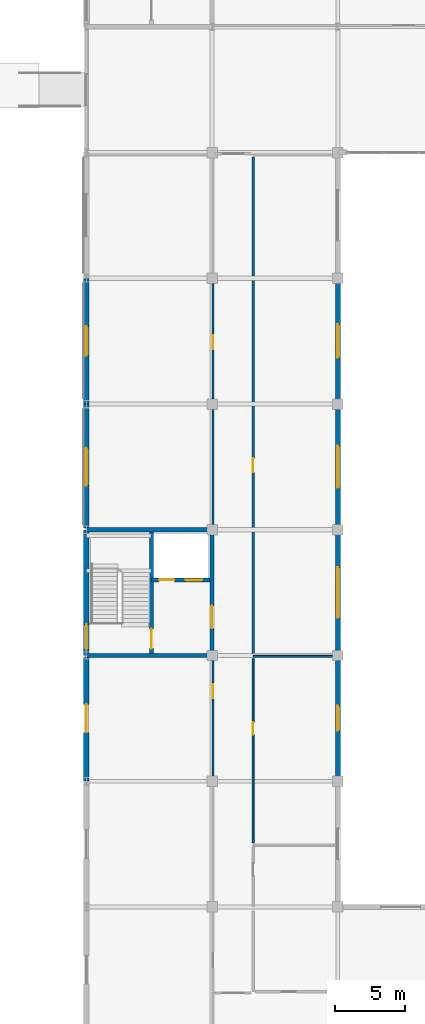
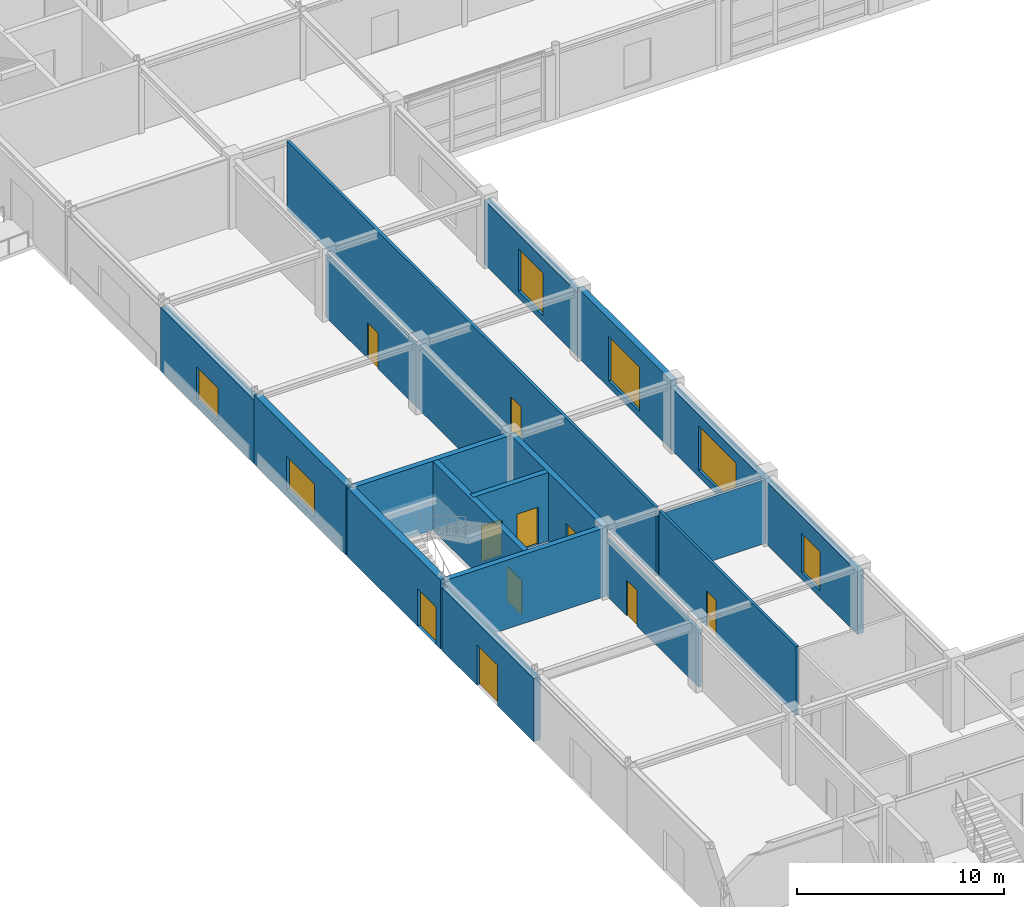
# One storey, part 57 of 72: 19 walls, 10 doors, 6 windows, 16 openings.
"""IFC4 building model written with IfcOpenShell, lengths in metres."""

from ifc_helpers import new_model, si_unit, direction, frame, frame_2d, origin, place, context, subcontext, project, spatial, rectangle, extrude, material, layer, layer_set, type_object, element, fill, save


model = new_model("IFC4")

# Units and contexts
model_context = context("Model", 3, precision=1e-05, world=origin(), true_north=direction((0.0, 1.0)))
body_context = subcontext(model_context, "Body", "Model", "MODEL_VIEW")
ifc_project = project(units=[si_unit("LENGTHUNIT", "METRE"), si_unit("AREAUNIT", "SQUARE_METRE"), si_unit("VOLUMEUNIT", "CUBIC_METRE"), si_unit("PLANEANGLEUNIT", "RADIAN"), si_unit("MASSUNIT", "GRAM", prefix="KILO")], contexts=[model_context])

# Site, building, storey
site_placement = place(None, origin())
site = spatial("IfcSite", under=ifc_project, at=site_placement, CompositionType="ELEMENT")
building_placement = place(site_placement, origin())
building = spatial("IfcBuilding", under=site, at=building_placement, Name="Palais des Congres Ocreval", CompositionType="ELEMENT")
storey_placement = place(building_placement, origin())
storey = spatial("IfcBuildingStorey", under=building, at=storey_placement, Name="L00", CompositionType="ELEMENT", Elevation=0.0)

# Wall
ifc_material_1 = material(Name="Moisture-resistant gypsum board")
ifc_layer_1 = layer(ifc_material_1, 0.139892578125)
ifc_layer_set_1 = layer_set([ifc_layer_1], Name="Bathroom Plumbing Chase Wall 140 Gypsum (Moisture-resistant gypsum board)")
wall_type_1 = type_object("IfcWallType", Name="Bathroom Plumbing Chase Wall 140 Gypsum", PredefinedType="PLUMBINGWALL", material=ifc_layer_set_1)
wall_1_placement = place(storey_placement, frame((11.93994140625, 35.93505859375, 0.0), z_axis=(0.0, 0.0, 1.0), x_axis=(1.0, 0.0, 0.0)))
element("IfcWall", 1, at=wall_1_placement, inside=storey, type_object=wall_type_1, Name="Interior Partition PW03 L00", PredefinedType="PLUMBINGWALL", context=body_context, shape_type="SweptSolid", body=[
    extrude(rectangle(XDim=5.885009765625, YDim=0.139892578125, at=frame_2d((2.9423828125, 0.0))), origin(), (0.0, 0.0, 1.0), 3.764892578125),
])

# Wall, opening, door
wall_2_placement = place(storey_placement, frame((11.93505859375, 22.590087890625, 0.0), z_axis=(0.0, 0.0, 1.0), x_axis=(0.0, 1.0, 0.0)))
wall_2 = element("IfcWall", 2, at=wall_2_placement, inside=storey, type_object=wall_type_1, Name="Interior Partition PW03 L00", PredefinedType="PLUMBINGWALL", context=body_context, shape_type="SweptSolid", body=[
    extrude(rectangle(XDim=13.18994140625, YDim=0.139892578125, at=frame_2d((6.594970703125, 0.0))), origin(), (0.0, 0.0, 1.0), 4.054931640625),
])
opening_1_placement = place(wall_2_placement, frame((7.727783203125, 0.0, 0.0)))
opening_1 = element("IfcOpeningElement", 3, at=opening_1_placement, cuts=wall_2, Name="Opening D09", PredefinedType="OPENING", context=body_context, shape_type="SweptSolid", body=[
    extrude(rectangle(XDim=0.89990234375, YDim=2.10009765625, at=frame_2d((0.449951171875, 1.050048828125))), frame((0.0, 0.079833984375, 0.0), z_axis=(0.0, -1.0, 0.0), x_axis=(1.0, 0.0, 0.0)), (0.0, 0.0, 1.0), 0.159912109375),
])
ifc_material_2 = material(Name="Solid French oak", Category="wood")
door_type_1 = type_object("IfcDoorType", Name="Accessible Restroom Door 900x2100", OperationType="NOTDEFINED", PredefinedType="DOOR", material=ifc_material_2)
door_1_placement = place(opening_1_placement, origin())
door_1 = element("IfcDoor", 4, at=door_1_placement, inside=storey, type_object=door_type_1, Name="Interior Door D09 L00", OperationType="SINGLE_SWING_RIGHT", OverallHeight=2.10009765625, OverallWidth=0.89990234375, PredefinedType="DOOR", context=body_context, shape_type="SweptSolid", body=[
    extrude(rectangle(XDim=0.89990234375, YDim=2.10009765625, at=frame_2d((0.449951171875, 1.050048828125))), frame((0.0, 0.02490234375, 0.0), z_axis=(0.0, -1.0, 0.0), x_axis=(1.0, 0.0, 0.0)), (0.0, 0.0, 1.0), 0.050048828125),
])
fill(opening_1, door_1)

# Wall
ifc_material_3 = material(Name="Concrete C40/50", Category="concrete")
ifc_layer_2 = layer(ifc_material_3, 0.300048828125)
ifc_layer_set_2 = layer_set([ifc_layer_2], Name="Core Shear Wall 300 Concrete C40/50")
wall_type_2 = type_object("IfcWallType", Name="Core Shear Wall 300 Concrete C40/50", PredefinedType="SHEAR", material=ifc_layer_set_2)
wall_3_placement = place(storey_placement, frame((0.0, 36.0, 0.0), z_axis=(0.0, 0.0, 1.0), x_axis=(1.0, 0.0, 0.0)))
element("IfcWall", 5, at=wall_3_placement, inside=storey, type_object=wall_type_2, Name="Core Shear Wall SC03 L00 S", PredefinedType="SHEAR", context=body_context, shape_type="SweptSolid", body=[
    extrude(rectangle(XDim=9.0, YDim=0.300048828125, at=frame_2d((4.5, 0.0))), origin(), (0.0, 0.0, 1.0), 4.054931640625),
])

# Wall, opening, door
wall_4_placement = place(storey_placement, frame((9.0, 36.0, 0.0), z_axis=(0.0, 0.0, 1.0), x_axis=(0.0, 1.0, 0.0)))
wall_4 = element("IfcWall", 6, at=wall_4_placement, inside=storey, type_object=wall_type_2, Name="Core Shear Wall SC03 L00 E", PredefinedType="SHEAR", context=body_context, shape_type="SweptSolid", body=[
    extrude(rectangle(XDim=9.0, YDim=0.300048828125, at=frame_2d((4.5, 0.0))), origin(), (0.0, 0.0, 1.0), 4.054931640625),
])
opening_2_placement = place(wall_4_placement, frame((1.949951171875, 0.0, 0.0)))
opening_2 = element("IfcOpeningElement", 7, at=opening_2_placement, cuts=wall_4, Name="Opening D02", PredefinedType="OPENING", context=body_context, shape_type="SweptSolid", body=[
    extrude(rectangle(XDim=1.60009765625, YDim=2.10009765625, at=frame_2d((0.800048828125, 1.050048828125))), frame((0.0, 0.159912109375, 0.0), z_axis=(0.0, -1.0, 0.0), x_axis=(1.0, 0.0, 0.0)), (0.0, 0.0, 1.0), 0.320068359375),
])
ifc_material_4 = material(Name="Painted fire-rated steel", Category="steel")
door_type_2 = type_object("IfcDoorType", Name="Firefighting Lobby Rated Door 1600x2100", OperationType="NOTDEFINED", PredefinedType="DOOR", material=ifc_material_4)
door_2_placement = place(opening_2_placement, origin())
door_2 = element("IfcDoor", 8, at=door_2_placement, inside=storey, type_object=door_type_2, Name="Firefighting Lobby Entrance Door SC03 L00", OperationType="DOUBLE_DOOR_SINGLE_SWING", OverallHeight=2.10009765625, OverallWidth=1.60009765625, PredefinedType="DOOR", context=body_context, shape_type="SweptSolid", body=[
    extrude(rectangle(XDim=1.60009765625, YDim=2.10009765625, at=frame_2d((0.800048828125, 1.050048828125))), frame((0.0, 0.02490234375, 0.0), z_axis=(0.0, -1.0, 0.0), x_axis=(1.0, 0.0, 0.0)), (0.0, 0.0, 1.0), 0.050048828125),
])
fill(opening_2, door_2)

# Wall
wall_5_placement = place(storey_placement, frame((0.0, 45.0, 0.0), z_axis=(0.0, 0.0, 1.0), x_axis=(1.0, 0.0, 0.0)))
element("IfcWall", 9, at=wall_5_placement, inside=storey, type_object=wall_type_2, Name="Core Shear Wall SC03 L00 N", PredefinedType="SHEAR", context=body_context, shape_type="SweptSolid", body=[
    extrude(rectangle(XDim=9.0, YDim=0.300048828125, at=frame_2d((4.5, 0.0))), origin(), (0.0, 0.0, 1.0), 4.054931640625),
])

# Wall, opening, door
wall_6_placement = place(storey_placement, frame((4.64990234375, 36.14990234375, 0.0), z_axis=(0.0, 0.0, 1.0), x_axis=(0.0, 1.0, 0.0)))
wall_6 = element("IfcWall", 10, at=wall_6_placement, inside=storey, type_object=wall_type_2, Name="Core Spine Shear Wall SC03 L00", PredefinedType="SHEAR", context=body_context, shape_type="SweptSolid", body=[
    extrude(rectangle(XDim=8.7001953125, YDim=0.300048828125, at=frame_2d((4.35009765625, 0.0))), origin(), (0.0, 0.0, 1.0), 4.054931640625),
])
opening_3_placement = place(wall_6_placement, frame((0.35009765625, 0.0, 0.0)))
opening_3 = element("IfcOpeningElement", 11, at=opening_3_placement, cuts=wall_6, Name="Opening D03", PredefinedType="OPENING", context=body_context, shape_type="SweptSolid", body=[
    extrude(rectangle(XDim=1.39990234375, YDim=2.02001953125, at=frame_2d((0.699951171875, 1.010009765625))), frame((0.0, 0.159912109375, 0.0), z_axis=(0.0, -1.0, 0.0), x_axis=(1.0, 0.0, 0.0)), (0.0, 0.0, 1.0), 0.320068359375),
])
door_type_3 = type_object("IfcDoorType", Name="Core Lobby Rated Door 1400x2020", OperationType="NOTDEFINED", PredefinedType="DOOR", material=ifc_material_4)
door_3_placement = place(opening_3_placement, origin())
door_3 = element("IfcDoor", 12, at=door_3_placement, inside=storey, type_object=door_type_3, Name="Protected Exit Stair Door ST03 L00", OperationType="SINGLE_SWING_LEFT", OverallHeight=2.02001953125, OverallWidth=1.39990234375, PredefinedType="DOOR", context=body_context, shape_type="SweptSolid", body=[
    extrude(rectangle(XDim=1.39990234375, YDim=2.02001953125, at=frame_2d((0.699951171875, 1.010009765625))), frame((0.0, 0.02490234375, 0.0), z_axis=(0.0, -1.0, 0.0), x_axis=(1.0, 0.0, 0.0)), (0.0, 0.0, 1.0), 0.050048828125),
])
fill(opening_3, door_3)

# Wall, openings, doors
wall_7_placement = place(storey_placement, frame((4.64990234375, 41.39990234375, 0.0), z_axis=(0.0, 0.0, 1.0), x_axis=(1.0, 0.0, 0.0)))
wall_7 = element("IfcWall", 13, at=wall_7_placement, inside=storey, type_object=wall_type_2, Name="Lift Shaft Front Wall SC03 L00", PredefinedType="SHEAR", context=body_context, shape_type="SweptSolid", body=[
    extrude(rectangle(XDim=4.2001953125, YDim=0.300048828125, at=frame_2d((2.10009765625, 0.0))), origin(), (0.0, 0.0, 1.0), 4.054931640625),
])
opening_4_placement = place(wall_7_placement, frame((0.550048828125, 0.0, 0.0)))
opening_4 = element("IfcOpeningElement", 14, at=opening_4_placement, cuts=wall_7, Name="Opening LD01", PredefinedType="OPENING", context=body_context, shape_type="SweptSolid", body=[
    extrude(rectangle(XDim=1.10009765625, YDim=2.10009765625, at=frame_2d((0.550048828125, 1.050048828125))), frame((0.0, 0.159912109375, 0.0), z_axis=(0.0, -1.0, 0.0), x_axis=(1.0, 0.0, 0.0)), (0.0, 0.0, 1.0), 0.320068359375),
])
opening_5_placement = place(wall_7_placement, frame((2.449951171875, 0.0, 0.0)))
opening_5 = element("IfcOpeningElement", 15, at=opening_5_placement, cuts=wall_7, Name="Opening LD02", PredefinedType="OPENING", context=body_context, shape_type="SweptSolid", body=[
    extrude(rectangle(XDim=1.199951171875, YDim=2.199951171875, at=frame_2d((0.60009765625, 1.10009765625))), frame((0.0, 0.159912109375, 0.0), z_axis=(0.0, -1.0, 0.0), x_axis=(1.0, 0.0, 0.0)), (0.0, 0.0, 1.0), 0.320068359375),
])
ifc_material_5 = material(Name="Stainless steel", Category="steel")
door_type_4 = type_object("IfcDoorType", Name="Firefighting Lift Sliding Landing Door 1100x2100", OperationType="NOTDEFINED", PredefinedType="DOOR", material=ifc_material_5)
door_4_placement = place(opening_4_placement, origin())
door_4 = element("IfcDoor", 16, at=door_4_placement, inside=storey, type_object=door_type_4, Name="Lift Landing Sliding Door FF3 L00", OperationType="DOUBLE_DOOR_SLIDING", OverallHeight=2.10009765625, OverallWidth=1.10009765625, PredefinedType="DOOR", context=body_context, shape_type="SweptSolid", body=[
    extrude(rectangle(XDim=1.10009765625, YDim=2.10009765625, at=frame_2d((0.550048828125, 1.050048828125))), frame((0.0, 0.02490234375, 0.0), z_axis=(0.0, -1.0, 0.0), x_axis=(1.0, 0.0, 0.0)), (0.0, 0.0, 1.0), 0.050048828125),
])
fill(opening_4, door_4)
ifc_material_6 = material(Name="Anodized bronze steel", Category="steel")
door_type_5 = type_object("IfcDoorType", Name="Passenger and Service Lift Sliding Door 1200x2200", OperationType="NOTDEFINED", PredefinedType="DOOR", material=ifc_material_6)
door_5_placement = place(opening_5_placement, origin())
door_5 = element("IfcDoor", 17, at=door_5_placement, inside=storey, type_object=door_type_5, Name="Lift Landing Sliding Door PL3 L00", OperationType="DOUBLE_DOOR_SLIDING", OverallHeight=2.199951171875, OverallWidth=1.199951171875, PredefinedType="DOOR", context=body_context, shape_type="SweptSolid", body=[
    extrude(rectangle(XDim=1.199951171875, YDim=2.199951171875, at=frame_2d((0.60009765625, 1.10009765625))), frame((0.0, 0.02490234375, 0.0), z_axis=(0.0, -1.0, 0.0), x_axis=(1.0, 0.0, 0.0)), (0.0, 0.0, 1.0), 0.050048828125),
])
fill(opening_5, door_5)

# Wall
ifc_material_7 = material(Name="Gypsum acoustic partition")
ifc_layer_3 = layer(ifc_material_7, 0.159912109375)
ifc_layer_set_3 = layer_set([ifc_layer_3], Name="Corridor Fire Partition 160 Gypsum (Gypsum acoustic partition)")
wall_type_3 = type_object("IfcWallType", Name="Corridor Fire Partition 160 Gypsum", PredefinedType="PARTITIONING", material=ifc_layer_set_3)
wall_8_placement = place(storey_placement, frame((9.06494140625, 45.155029296875, 0.0), z_axis=(0.0, 0.0, 1.0), x_axis=(0.0, 1.0, 0.0)))
element("IfcWall", 18, at=wall_8_placement, inside=storey, type_object=wall_type_3, Name="Interior Partition IW03 L00", PredefinedType="PARTITIONING", context=body_context, shape_type="SweptSolid", body=[
    extrude(rectangle(XDim=8.824951171875, YDim=0.159912109375, at=frame_2d((4.41259765625, 0.0))), origin(), (0.0, 0.0, 1.0), 3.72509765625),
])

# Wall, opening, door
wall_9_placement = place(storey_placement, frame((11.93505859375, 36.090087890625, 0.0), z_axis=(0.0, 0.0, 1.0), x_axis=(0.0, 1.0, 0.0)))
wall_9 = element("IfcWall", 19, at=wall_9_placement, inside=storey, type_object=wall_type_3, Name="Interior Partition IW03 L00", PredefinedType="PARTITIONING", context=body_context, shape_type="SweptSolid", body=[
    extrude(rectangle(XDim=35.579833984375, YDim=0.159912109375, at=frame_2d((17.7900390625, 0.0))), origin(), (0.0, 0.0, 1.0), 4.054931640625),
])
opening_6_placement = place(wall_9_placement, frame((13.0205078125, 0.0, 0.0)))
opening_6 = element("IfcOpeningElement", 20, at=opening_6_placement, cuts=wall_9, Name="Opening D10", PredefinedType="OPENING", context=body_context, shape_type="SweptSolid", body=[
    extrude(rectangle(XDim=1.0, YDim=2.10009765625, at=frame_2d((0.5, 1.050048828125))), frame((0.0, 0.08984375, 0.0), z_axis=(0.0, -1.0, 0.0), x_axis=(1.0, 0.0, 0.0)), (0.0, 0.0, 1.0), 0.179931640625),
])
ifc_material_8 = material(Name="Painted steel", Category="steel")
door_type_6 = type_object("IfcDoorType", Name="Service and Pantry Door 1000x2100", OperationType="NOTDEFINED", PredefinedType="DOOR", material=ifc_material_8)
door_6_placement = place(opening_6_placement, origin())
door_6 = element("IfcDoor", 21, at=door_6_placement, inside=storey, type_object=door_type_6, Name="Interior Door D10 L00", OperationType="SINGLE_SWING_LEFT", OverallHeight=2.10009765625, OverallWidth=1.0, PredefinedType="DOOR", context=body_context, shape_type="SweptSolid", body=[
    extrude(rectangle(XDim=1.0, YDim=2.10009765625, at=frame_2d((0.5, 1.050048828125))), frame((0.0, 0.02490234375, 0.0), z_axis=(0.0, -1.0, 0.0), x_axis=(1.0, 0.0, 0.0)), (0.0, 0.0, 1.0), 0.050048828125),
])
fill(opening_6, door_6)

wall_10_placement = place(storey_placement, frame((9.06494140625, 26.97998046875, 0.0), z_axis=(0.0, 0.0, 1.0), x_axis=(0.0, 1.0, 0.0)))
wall_10 = element("IfcWall", 22, at=wall_10_placement, inside=storey, type_object=wall_type_3, Name="Interior Partition IW03 L00", PredefinedType="PARTITIONING", context=body_context, shape_type="SweptSolid", body=[
    extrude(rectangle(XDim=8.864990234375, YDim=0.159912109375, at=frame_2d((4.4326171875, 0.0))), origin(), (0.0, 0.0, 1.0), 3.364990234375),
])
opening_7_placement = place(wall_10_placement, frame((5.965087890625, 0.0, 0.0)))
opening_7 = element("IfcOpeningElement", 23, at=opening_7_placement, cuts=wall_10, Name="Opening D10", PredefinedType="OPENING", context=body_context, shape_type="SweptSolid", body=[
    extrude(rectangle(XDim=1.0, YDim=2.10009765625, at=frame_2d((0.5, 1.050048828125))), frame((0.0, 0.08984375, 0.0), z_axis=(0.0, -1.0, 0.0), x_axis=(1.0, 0.0, 0.0)), (0.0, 0.0, 1.0), 0.179931640625),
])
door_7_placement = place(opening_7_placement, origin())
door_7 = element("IfcDoor", 24, at=door_7_placement, inside=storey, type_object=door_type_6, Name="Interior Door D10 L00", OperationType="SINGLE_SWING_LEFT", OverallHeight=2.10009765625, OverallWidth=1.0, PredefinedType="DOOR", context=body_context, shape_type="SweptSolid", body=[
    extrude(rectangle(XDim=1.0, YDim=2.10009765625, at=frame_2d((0.5, 1.050048828125))), frame((0.0, 0.02490234375, 0.0), z_axis=(0.0, -1.0, 0.0), x_axis=(1.0, 0.0, 0.0)), (0.0, 0.0, 1.0), 0.050048828125),
])
fill(opening_7, door_7)

wall_11_placement = place(storey_placement, frame((9.06494140625, 53.97998046875, 0.0), z_axis=(0.0, 0.0, 1.0), x_axis=(0.0, 1.0, 0.0)))
wall_11 = element("IfcWall", 25, at=wall_11_placement, inside=storey, type_object=wall_type_3, Name="Interior Partition IW03 L00", PredefinedType="PARTITIONING", context=body_context, shape_type="SweptSolid", body=[
    extrude(rectangle(XDim=9.0, YDim=0.159912109375, at=frame_2d((4.5, 0.0))), origin(), (0.0, 0.0, 1.0), 3.6650390625),
])
opening_8_placement = place(wall_11_placement, frame((3.9326171875, 0.0, 0.0)))
opening_8 = element("IfcOpeningElement", 26, at=opening_8_placement, cuts=wall_11, Name="Opening D10", PredefinedType="OPENING", context=body_context, shape_type="SweptSolid", body=[
    extrude(rectangle(XDim=1.0, YDim=2.10009765625, at=frame_2d((0.5, 1.050048828125))), frame((0.0, 0.08984375, 0.0), z_axis=(0.0, -1.0, 0.0), x_axis=(1.0, 0.0, 0.0)), (0.0, 0.0, 1.0), 0.179931640625),
])
door_8_placement = place(opening_8_placement, origin())
door_8 = element("IfcDoor", 27, at=door_8_placement, inside=storey, type_object=door_type_6, Name="Interior Door D10 L00", OperationType="SINGLE_SWING_RIGHT", OverallHeight=2.10009765625, OverallWidth=1.0, PredefinedType="DOOR", context=body_context, shape_type="SweptSolid", body=[
    extrude(rectangle(XDim=1.0, YDim=2.10009765625, at=frame_2d((0.5, 1.050048828125))), frame((0.0, 0.02490234375, 0.0), z_axis=(0.0, -1.0, 0.0), x_axis=(1.0, 0.0, 0.0)), (0.0, 0.0, 1.0), 0.050048828125),
])
fill(opening_8, door_8)

ifc_layer_4 = layer(ifc_material_3, 0.3798828125)
ifc_layer_set_4 = layer_set([ifc_layer_4], Name="Lutetian Limestone Street Wall 380 Concrete C40/50")
wall_type_4 = type_object("IfcWallType", Name="Lutetian Limestone Street Wall 380 Concrete C40/50", PredefinedType="SOLIDWALL", material=ifc_layer_set_4)
wall_12_placement = place(storey_placement, frame((0.0, 27.0, 0.0), z_axis=(0.0, 0.0, 1.0), x_axis=(0.0, 1.0, 0.0)))
wall_12 = element("IfcWall", 28, at=wall_12_placement, inside=storey, type_object=wall_type_4, Name="Exterior Wall EW03 L00", PredefinedType="SOLIDWALL", context=body_context, shape_type="SweptSolid", body=[
    extrude(rectangle(XDim=8.8701171875, YDim=0.3798828125, at=frame_2d((4.43505859375, 0.0))), origin(), (0.0, 0.0, 1.0), 3.695068359375),
])
opening_9_placement = place(wall_12_placement, frame((3.5, 0.0, 0.0)))
opening_9 = element("IfcOpeningElement", 29, at=opening_9_placement, cuts=wall_12, Name="Opening ED01", PredefinedType="OPENING", context=body_context, shape_type="SweptSolid", body=[
    extrude(rectangle(XDim=2.0, YDim=2.39990234375, at=frame_2d((1.0, 1.199951171875))), frame((0.0, 0.199951171875, 0.0), z_axis=(0.0, -1.0, 0.0), x_axis=(1.0, 0.0, 0.0)), (0.0, 0.0, 1.0), 0.39990234375),
])
ifc_material_9 = material(Name="Anodized bronze aluminium and safety glass", Category="aluminium")
door_type_7 = type_object("IfcDoorType", Name="Main Street Pedestrian Exit Door 2000x2400", OperationType="NOTDEFINED", PredefinedType="DOOR", material=ifc_material_9)
door_9_placement = place(opening_9_placement, origin())
door_9 = element("IfcDoor", 30, at=door_9_placement, inside=storey, type_object=door_type_7, Name="Pedestrian Final Exit Door E07", OperationType="DOUBLE_DOOR_SINGLE_SWING", OverallHeight=2.39990234375, OverallWidth=2.0, PredefinedType="DOOR", context=body_context, shape_type="SweptSolid", body=[
    extrude(rectangle(XDim=2.0, YDim=2.39990234375, at=frame_2d((1.0, 1.199951171875))), frame((0.0, 0.02490234375, 0.0), z_axis=(0.0, -1.0, 0.0), x_axis=(1.0, 0.0, 0.0)), (0.0, 0.0, 1.0), 0.050048828125),
])
fill(opening_9, door_9)

wall_13_placement = place(storey_placement, frame((0.0, 36.0, 0.0), z_axis=(0.0, 0.0, 1.0), x_axis=(0.0, 1.0, 0.0)))
wall_13 = element("IfcWall", 31, at=wall_13_placement, inside=storey, type_object=wall_type_4, Name="Core Perimeter Shear Wall EW03 SC03 L00", PredefinedType="SOLIDWALL", context=body_context, shape_type="SweptSolid", body=[
    extrude(rectangle(XDim=9.0, YDim=0.3798828125, at=frame_2d((4.5, 0.0))), origin(), (0.0, 0.0, 1.0), 4.054931640625),
])
opening_10_placement = place(wall_13_placement, frame((0.425048828125, 0.0, 0.0)))
opening_10 = element("IfcOpeningElement", 32, at=opening_10_placement, cuts=wall_13, Name="Opening ED04", PredefinedType="OPENING", context=body_context, shape_type="SweptSolid", body=[
    extrude(rectangle(XDim=1.800048828125, YDim=2.199951171875, at=frame_2d((0.89990234375, 1.10009765625))), frame((0.0, 0.199951171875, 0.0), z_axis=(0.0, -1.0, 0.0), x_axis=(1.0, 0.0, 0.0)), (0.0, 0.0, 1.0), 0.39990234375),
])
door_type_8 = type_object("IfcDoorType", Name="Stair Street Discharge Door 1800x2200", OperationType="NOTDEFINED", PredefinedType="DOOR", material=ifc_material_9)
door_10_placement = place(opening_10_placement, origin())
door_10 = element("IfcDoor", 33, at=door_10_placement, inside=storey, type_object=door_type_8, Name="Stair Final Exit Discharge Door ST03", OperationType="DOUBLE_DOOR_SINGLE_SWING", OverallHeight=2.199951171875, OverallWidth=1.800048828125, PredefinedType="DOOR", context=body_context, shape_type="SweptSolid", body=[
    extrude(rectangle(XDim=1.800048828125, YDim=2.199951171875, at=frame_2d((0.89990234375, 1.10009765625))), frame((0.0, 0.02490234375, 0.0), z_axis=(0.0, -1.0, 0.0), x_axis=(1.0, 0.0, 0.0)), (0.0, 0.0, 1.0), 0.050048828125),
])
fill(opening_10, door_10)

# Wall, opening, window
wall_14_placement = place(storey_placement, frame((0.0, 45.1298828125, 0.0), z_axis=(0.0, 0.0, 1.0), x_axis=(0.0, 1.0, 0.0)))
wall_14 = element("IfcWall", 34, at=wall_14_placement, inside=storey, type_object=wall_type_4, Name="Exterior Wall EW03 L00", PredefinedType="SOLIDWALL", context=body_context, shape_type="SweptSolid", body=[
    extrude(rectangle(XDim=8.8701171875, YDim=0.3798828125, at=frame_2d((4.43505859375, 0.0))), origin(), (0.0, 0.0, 1.0), 4.054931640625),
])
opening_11_placement = place(wall_14_placement, frame((3.02001953125, 0.0, 0.39990234375)))
opening_11 = element("IfcOpeningElement", 35, at=opening_11_placement, cuts=wall_14, Name="Opening WN04", PredefinedType="OPENING", context=body_context, shape_type="SweptSolid", body=[
    extrude(rectangle(XDim=2.699951171875, YDim=1.949951171875, at=frame_2d((1.35009765625, 0.97509765625))), frame((0.0, 0.199951171875, 0.0), z_axis=(0.0, -1.0, 0.0), x_axis=(1.0, 0.0, 0.0)), (0.0, 0.0, 1.0), 0.39990234375),
])
ifc_material_10 = material(Name="Anodized bronze aluminium and low-E glass", Category="glass")
window_type_1 = type_object("IfcWindowType", Name="Suite Corner Window 2700x1950", PartitioningType="SINGLE_PANEL", PredefinedType="WINDOW", material=ifc_material_10)
window_1_placement = place(opening_11_placement, origin())
window_1 = element("IfcWindow", 36, at=window_1_placement, inside=storey, type_object=window_type_1, Name="Facade Window WN04", OverallHeight=1.949951171875, OverallWidth=2.699951171875, PartitioningType="SINGLE_PANEL", PredefinedType="WINDOW", context=body_context, shape_type="SweptSolid", body=[
    extrude(rectangle(XDim=2.699951171875, YDim=1.949951171875, at=frame_2d((1.35009765625, 0.97509765625))), frame((0.0, 0.030029296875, 0.0), z_axis=(0.0, -1.0, 0.0), x_axis=(1.0, 0.0, 0.0)), (0.0, 0.0, 1.0), 0.06005859375),
])
fill(opening_11, window_1)

wall_15_placement = place(storey_placement, frame((0.0, 54.0, 0.0), z_axis=(0.0, 0.0, 1.0), x_axis=(0.0, 1.0, 0.0)))
wall_15 = element("IfcWall", 37, at=wall_15_placement, inside=storey, type_object=wall_type_4, Name="Exterior Wall EW03 L00", PredefinedType="SOLIDWALL", context=body_context, shape_type="SweptSolid", body=[
    extrude(rectangle(XDim=9.0, YDim=0.3798828125, at=frame_2d((4.5, 0.0))), origin(), (0.0, 0.0, 1.0), 3.7548828125),
])
opening_12_placement = place(wall_15_placement, frame((3.449951171875, 0.0, 0.39990234375)))
opening_12 = element("IfcOpeningElement", 38, at=opening_12_placement, cuts=wall_15, Name="Opening WN05", PredefinedType="OPENING", context=body_context, shape_type="SweptSolid", body=[
    extrude(rectangle(XDim=2.10009765625, YDim=1.949951171875, at=frame_2d((1.050048828125, 0.97509765625))), frame((0.0, 0.199951171875, 0.0), z_axis=(0.0, -1.0, 0.0), x_axis=(1.0, 0.0, 0.0)), (0.0, 0.0, 1.0), 0.39990234375),
])
window_type_2 = type_object("IfcWindowType", Name="Junior Suite Window 2100x1950", PartitioningType="SINGLE_PANEL", PredefinedType="WINDOW", material=ifc_material_10)
window_2_placement = place(opening_12_placement, origin())
window_2 = element("IfcWindow", 39, at=window_2_placement, inside=storey, type_object=window_type_2, Name="Facade Window WN05", OverallHeight=1.949951171875, OverallWidth=2.10009765625, PartitioningType="SINGLE_PANEL", PredefinedType="WINDOW", context=body_context, shape_type="SweptSolid", body=[
    extrude(rectangle(XDim=2.10009765625, YDim=1.949951171875, at=frame_2d((1.050048828125, 0.97509765625))), frame((0.0, 0.030029296875, 0.0), z_axis=(0.0, -1.0, 0.0), x_axis=(1.0, 0.0, 0.0)), (0.0, 0.0, 1.0), 0.06005859375),
])
fill(opening_12, window_2)

ifc_layer_5 = layer(ifc_material_3, 0.340087890625)
ifc_layer_set_5 = layer_set([ifc_layer_5], Name="Ochre Mineral-Lime Courtyard Wall 340 Concrete C40/50")
wall_type_5 = type_object("IfcWallType", Name="Ochre Mineral-Lime Courtyard Wall 340 Concrete C40/50", PredefinedType="SOLIDWALL", material=ifc_layer_set_5)
wall_16_placement = place(storey_placement, frame((18.0, 63.0, 0.0), z_axis=(0.0, 0.0, 1.0), x_axis=(0.0, -1.0, 0.0)))
wall_16 = element("IfcWall", 40, at=wall_16_placement, inside=storey, type_object=wall_type_5, Name="Exterior Wall EW04 L00", PredefinedType="SOLIDWALL", context=body_context, shape_type="SweptSolid", body=[
    extrude(rectangle(XDim=9.0, YDim=0.340087890625, at=frame_2d((4.5, 0.0))), origin(), (0.0, 0.0, 1.0), 3.7548828125),
])
opening_13_placement = place(wall_16_placement, frame((3.300048828125, 0.0, 0.39990234375)))
opening_13 = element("IfcOpeningElement", 41, at=opening_13_placement, cuts=wall_16, Name="Opening WN09", PredefinedType="OPENING", context=body_context, shape_type="SweptSolid", body=[
    extrude(rectangle(XDim=2.39990234375, YDim=2.5, at=frame_2d((1.199951171875, 1.25))), frame((0.0, 0.179931640625, 0.0), z_axis=(0.0, -1.0, 0.0), x_axis=(1.0, 0.0, 0.0)), (0.0, 0.0, 1.0), 0.360107421875),
])
window_type_3 = type_object("IfcWindowType", Name="Brasserie Street Window 2400x2500", PartitioningType="SINGLE_PANEL", PredefinedType="WINDOW", material=ifc_material_10)
window_3_placement = place(opening_13_placement, origin())
window_3 = element("IfcWindow", 42, at=window_3_placement, inside=storey, type_object=window_type_3, Name="Facade Window WN09", OverallHeight=2.5, OverallWidth=2.39990234375, PartitioningType="SINGLE_PANEL", PredefinedType="WINDOW", context=body_context, shape_type="SweptSolid", body=[
    extrude(rectangle(XDim=2.39990234375, YDim=2.5, at=frame_2d((1.199951171875, 1.25))), frame((0.0, 0.030029296875, 0.0), z_axis=(0.0, -1.0, 0.0), x_axis=(1.0, 0.0, 0.0)), (0.0, 0.0, 1.0), 0.06005859375),
])
fill(opening_13, window_3)

wall_17_placement = place(storey_placement, frame((18.0, 54.0, 0.0), z_axis=(0.0, 0.0, 1.0), x_axis=(0.0, -1.0, 0.0)))
wall_17 = element("IfcWall", 43, at=wall_17_placement, inside=storey, type_object=wall_type_5, Name="Exterior Wall EW04 L00", PredefinedType="SOLIDWALL", context=body_context, shape_type="SweptSolid", body=[
    extrude(rectangle(XDim=9.0, YDim=0.340087890625, at=frame_2d((4.5, 0.0))), origin(), (0.0, 0.0, 1.0), 4.054931640625),
])
opening_14_placement = place(wall_17_placement, frame((3.0, 0.0, 0.39990234375)))
opening_14 = element("IfcOpeningElement", 44, at=opening_14_placement, cuts=wall_17, Name="Opening WN10", PredefinedType="OPENING", context=body_context, shape_type="SweptSolid", body=[
    extrude(rectangle(XDim=3.0, YDim=2.60009765625, at=frame_2d((1.5, 1.300048828125))), frame((0.0, 0.179931640625, 0.0), z_axis=(0.0, -1.0, 0.0), x_axis=(1.0, 0.0, 0.0)), (0.0, 0.0, 1.0), 0.360107421875),
])
window_type_4 = type_object("IfcWindowType", Name="Lobby Arcade Window 3000x2600", PartitioningType="SINGLE_PANEL", PredefinedType="WINDOW", material=ifc_material_10)
window_4_placement = place(opening_14_placement, origin())
window_4 = element("IfcWindow", 45, at=window_4_placement, inside=storey, type_object=window_type_4, Name="Facade Window WN10", OverallHeight=2.60009765625, OverallWidth=3.0, PartitioningType="SINGLE_PANEL", PredefinedType="WINDOW", context=body_context, shape_type="SweptSolid", body=[
    extrude(rectangle(XDim=3.0, YDim=2.60009765625, at=frame_2d((1.5, 1.300048828125))), frame((0.0, 0.030029296875, 0.0), z_axis=(0.0, -1.0, 0.0), x_axis=(1.0, 0.0, 0.0)), (0.0, 0.0, 1.0), 0.06005859375),
])
fill(opening_14, window_4)

wall_18_placement = place(storey_placement, frame((18.0, 45.0, 0.0), z_axis=(0.0, 0.0, 1.0), x_axis=(0.0, -1.0, 0.0)))
wall_18 = element("IfcWall", 46, at=wall_18_placement, inside=storey, type_object=wall_type_5, Name="Exterior Wall EW04 L00", PredefinedType="SOLIDWALL", context=body_context, shape_type="SweptSolid", body=[
    extrude(rectangle(XDim=9.0, YDim=0.340087890625, at=frame_2d((4.5, 0.0))), origin(), (0.0, 0.0, 1.0), 3.655029296875),
])
opening_15_placement = place(wall_18_placement, frame((2.699951171875, 0.0, 0.39990234375)))
opening_15 = element("IfcOpeningElement", 47, at=opening_15_placement, cuts=wall_18, Name="Opening WN11", PredefinedType="OPENING", context=body_context, shape_type="SweptSolid", body=[
    extrude(rectangle(XDim=3.60009765625, YDim=2.60009765625, at=frame_2d((1.800048828125, 1.300048828125))), frame((0.0, 0.179931640625, 0.0), z_axis=(0.0, -1.0, 0.0), x_axis=(1.0, 0.0, 0.0)), (0.0, 0.0, 1.0), 0.360107421875),
])
window_type_5 = type_object("IfcWindowType", Name="Grand Salon Window 3600x2600", PartitioningType="SINGLE_PANEL", PredefinedType="WINDOW", material=ifc_material_10)
window_5_placement = place(opening_15_placement, origin())
window_5 = element("IfcWindow", 48, at=window_5_placement, inside=storey, type_object=window_type_5, Name="Facade Window WN11", OverallHeight=2.60009765625, OverallWidth=3.60009765625, PartitioningType="SINGLE_PANEL", PredefinedType="WINDOW", context=body_context, shape_type="SweptSolid", body=[
    extrude(rectangle(XDim=3.60009765625, YDim=2.60009765625, at=frame_2d((1.800048828125, 1.300048828125))), frame((0.0, 0.030029296875, 0.0), z_axis=(0.0, -1.0, 0.0), x_axis=(1.0, 0.0, 0.0)), (0.0, 0.0, 1.0), 0.06005859375),
])
fill(opening_15, window_5)

wall_19_placement = place(storey_placement, frame((18.0, 36.0, 0.0), z_axis=(0.0, 0.0, 1.0), x_axis=(0.0, -1.0, 0.0)))
wall_19 = element("IfcWall", 49, at=wall_19_placement, inside=storey, type_object=wall_type_5, Name="Exterior Wall EW04 L00", PredefinedType="SOLIDWALL", context=body_context, shape_type="SweptSolid", body=[
    extrude(rectangle(XDim=9.0, YDim=0.340087890625, at=frame_2d((4.5, 0.0))), origin(), (0.0, 0.0, 1.0), 3.695068359375),
])
opening_16_placement = place(wall_19_placement, frame((3.60009765625, 0.0, 0.39990234375)))
opening_16 = element("IfcOpeningElement", 50, at=opening_16_placement, cuts=wall_19, Name="Opening WN12", PredefinedType="OPENING", context=body_context, shape_type="SweptSolid", body=[
    extrude(rectangle(XDim=1.800048828125, YDim=2.300048828125, at=frame_2d((0.89990234375, 1.14990234375))), frame((0.0, 0.179931640625, 0.0), z_axis=(0.0, -1.0, 0.0), x_axis=(1.0, 0.0, 0.0)), (0.0, 0.0, 1.0), 0.360107421875),
])
window_type_6 = type_object("IfcWindowType", Name="Gastronomy Mezzanine Window 1800x2300", PartitioningType="SINGLE_PANEL", PredefinedType="WINDOW", material=ifc_material_10)
window_6_placement = place(opening_16_placement, origin())
window_6 = element("IfcWindow", 51, at=window_6_placement, inside=storey, type_object=window_type_6, Name="Facade Window WN12", OverallHeight=2.300048828125, OverallWidth=1.800048828125, PartitioningType="SINGLE_PANEL", PredefinedType="WINDOW", context=body_context, shape_type="SweptSolid", body=[
    extrude(rectangle(XDim=1.800048828125, YDim=2.300048828125, at=frame_2d((0.89990234375, 1.14990234375))), frame((0.0, 0.030029296875, 0.0), z_axis=(0.0, -1.0, 0.0), x_axis=(1.0, 0.0, 0.0)), (0.0, 0.0, 1.0), 0.06005859375),
])
fill(opening_16, window_6)

save(model, "model.ifc")
